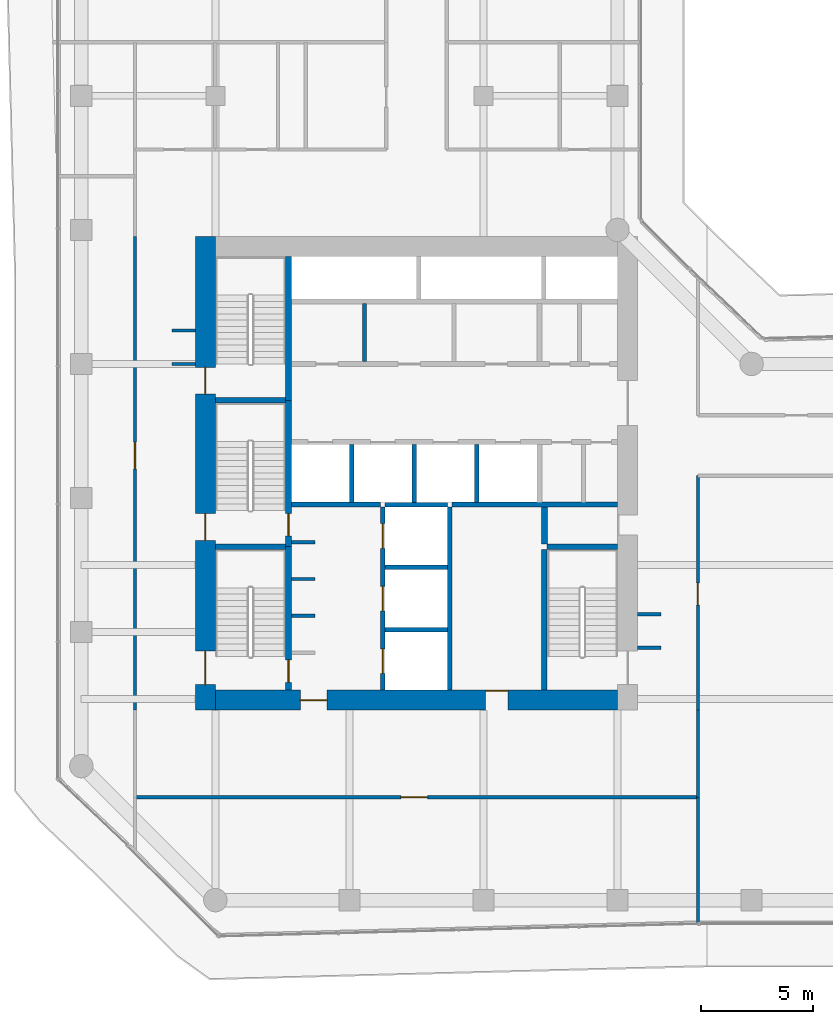
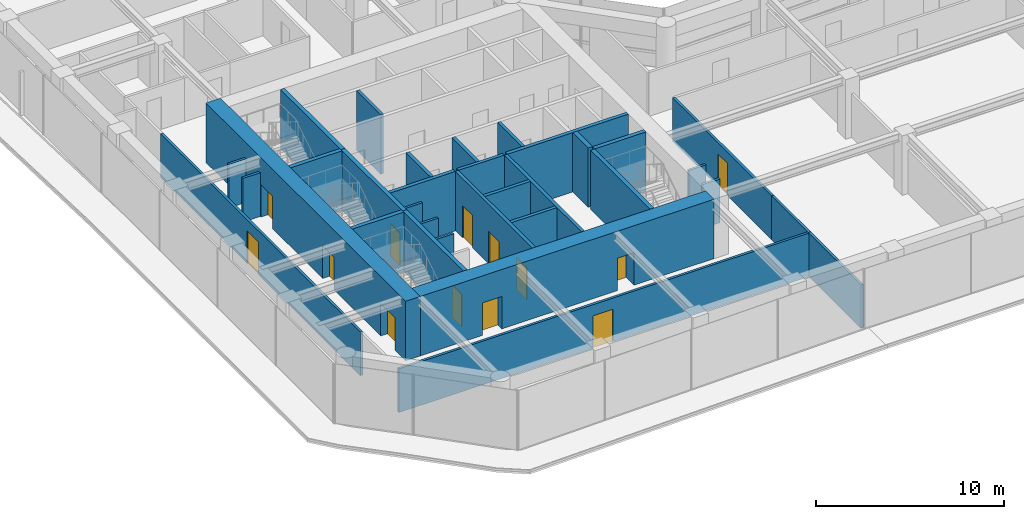
# One storey, part 23 of 29: 33 walls, 13 doors, 13 openings.
"""IFC4 building model written with IfcOpenShell, lengths in metres."""

from ifc_helpers import new_model, si_unit, direction, frame, frame_2d, origin, place, context, subcontext, project, spatial, rectangle, extrude, material, layer, layer_set, type_object, element, fill, save


model = new_model("IFC4")

# Units and contexts
model_context = context("Model", 3, precision=1e-05, world=origin(), true_north=direction((0.0, 1.0)))
body_context = subcontext(model_context, "Body", "Model", "MODEL_VIEW")
ifc_project = project(units=[si_unit("LENGTHUNIT", "METRE"), si_unit("AREAUNIT", "SQUARE_METRE"), si_unit("VOLUMEUNIT", "CUBIC_METRE"), si_unit("PLANEANGLEUNIT", "RADIAN"), si_unit("MASSUNIT", "GRAM", prefix="KILO")], contexts=[model_context])

# Site, building, storey
site_placement = place(None, origin())
site = spatial("IfcSite", under=ifc_project, at=site_placement, CompositionType="ELEMENT")
building_placement = place(site_placement, origin())
building = spatial("IfcBuilding", under=site, at=building_placement, Name="Welwitschia Terrace Campus", CompositionType="ELEMENT")
storey_placement = place(building_placement, frame((0.0, 0.0, 58.39990234375)))
storey = spatial("IfcBuildingStorey", under=building, at=storey_placement, Name="L13", CompositionType="ELEMENT", Elevation=58.39990234375)

# Walls
ifc_material_1 = material(Name="Concrete C32/40", Category="concrete")
ifc_layer_1 = layer(ifc_material_1, 0.175048828125)
ifc_layer_set_1 = layer_set([ifc_layer_1], Name="Concrete C32/40")
wall_type_1 = type_object("IfcWallType", Name="Core partition 175 Concrete C32/40", PredefinedType="PARTITIONING", material=ifc_layer_set_1)
wall_1_placement = place(storey_placement, frame((12.675048828125, 20.10009765625, 0.0), z_axis=(0.0, 0.0, 1.0), x_axis=(0.0, 1.0, 0.0)))
element("IfcWall", 1, at=wall_1_placement, inside=storey, type_object=wall_type_1, Name="Core partition", PredefinedType="PARTITIONING", context=body_context, shape_type="SweptSolid", body=[
    extrude(rectangle(XDim=2.599853515625, YDim=0.175048828125, at=frame_2d((1.2998046875, 0.0))), origin(), (0.0, 0.0, 1.0), 3.85009765625),
])
ifc_material_2 = material(Name="Concrete C32/40", Category="concrete")
ifc_layer_2 = layer(ifc_material_2, 0.22509765625)
ifc_layer_set_2 = layer_set([ifc_layer_2], Name="Concrete C32/40")
wall_type_2 = type_object("IfcWallType", Name="Core partition 225 Concrete C32/40", PredefinedType="PARTITIONING", material=ifc_layer_set_2)
wall_2_placement = place(storey_placement, frame((9.39990234375, 13.699951171875, 0.0), z_axis=(0.0, 0.0, 1.0), x_axis=(1.0, 0.0, 0.0)))
element("IfcWall", 2, at=wall_2_placement, inside=storey, type_object=wall_type_2, Name="Shaft wall", PredefinedType="PARTITIONING", context=body_context, shape_type="SweptSolid", body=[
    extrude(rectangle(XDim=4.0, YDim=0.22509765625, at=frame_2d((2.0, 0.0))), origin(), (0.0, 0.0, 1.0), 3.85009765625),
])
wall_3_placement = place(storey_placement, frame((16.60009765625, 13.699951171875, 0.0), z_axis=(0.0, 0.0, 1.0), x_axis=(1.0, 0.0, 0.0)))
element("IfcWall", 3, at=wall_3_placement, inside=storey, type_object=wall_type_2, Name="Shaft wall", PredefinedType="PARTITIONING", context=body_context, shape_type="SweptSolid", body=[
    extrude(rectangle(XDim=7.39990234375, YDim=0.22509765625, at=frame_2d((3.699951171875, 0.0))), origin(), (0.0, 0.0, 1.0), 3.85009765625),
])
ifc_material_3 = material(Name="Concrete C32/40", Category="concrete")
ifc_layer_3 = layer(ifc_material_3, 0.27490234375)
ifc_layer_set_3 = layer_set([ifc_layer_3], Name="Concrete C32/40")
wall_type_3 = type_object("IfcWallType", Name="Core partition 275 Concrete C32/40", PredefinedType="PARTITIONING", material=ifc_layer_set_3)
wall_4_placement = place(storey_placement, frame((20.72509765625, 11.949951171875, 0.0), z_axis=(0.0, 0.0, 1.0), x_axis=(0.0, 1.0, 0.0)))
element("IfcWall", 4, at=wall_4_placement, inside=storey, type_object=wall_type_3, Name="Core partition", PredefinedType="PARTITIONING", context=body_context, shape_type="SweptSolid", body=[
    extrude(rectangle(XDim=1.650146484375, YDim=0.27490234375, at=frame_2d((0.8251953125, 0.0))), origin(), (0.0, 0.0, 1.0), 3.85009765625),
])
ifc_material_4 = material(Name="Concrete C50/60", Category="concrete")
ifc_layer_4 = layer(ifc_material_4, 0.14990234375)
ifc_layer_set_4 = layer_set([ifc_layer_4], Name="Concrete C50/60")
wall_type_4 = type_object("IfcWallType", Name="Core wall 150 Concrete C50/60", PredefinedType="SHEAR", material=ifc_layer_set_4)
for number, where, z_axis, x_axis, name in (
    (5, (9.39990234375, 8.72509765625, 0.0), (0.0, 0.0, 1.0), (1.0, 0.0, 0.0), "Core wall"),
    (6, (9.39990234375, 10.375, 0.0), (0.0, 0.0, 1.0), (1.0, 0.0, 0.0), "Core wall"),
    (7, (9.39990234375, 12.02490234375, 0.0), (0.0, 0.0, 1.0), (1.0, 0.0, 0.0), "Core wall"),
):
    element("IfcWall", number, at=place(storey_placement, frame(where, z_axis=z_axis, x_axis=x_axis)), inside=storey, type_object=wall_type_4, Name=name, PredefinedType="SHEAR", context=body_context, shape_type="SweptSolid", body=[
        extrude(rectangle(XDim=1.050048828125, YDim=0.14990234375, at=frame_2d((0.52490234375, 0.0))), origin(), (0.0, 0.0, 1.0), 3.85009765625),
    ])
ifc_material_5 = material(Name="Concrete C50/60", Category="concrete")
ifc_layer_5 = layer(ifc_material_5, 0.199951171875)
ifc_layer_set_5 = layer_set([ifc_layer_5], Name="Concrete C50/60")
wall_type_5 = type_object("IfcWallType", Name="Core wall 200 Concrete C50/60", PredefinedType="SHEAR", material=ifc_layer_set_5)
for number, where, z_axis, x_axis, name in (
    (8, (13.60009765625, 8.10009765625, 0.0), (0.0, 0.0, 1.0), (1.0, 0.0, 0.0), "Core wall"),
    (9, (13.60009765625, 10.89990234375, 0.0), (0.0, 0.0, 1.0), (1.0, 0.0, 0.0), "Core wall"),
    (10, (13.60009765625, 13.699951171875, 0.0), (0.0, 0.0, 1.0), (1.0, 0.0, 0.0), "Core wall"),
):
    element("IfcWall", number, at=place(storey_placement, frame(where, z_axis=z_axis, x_axis=x_axis)), inside=storey, type_object=wall_type_5, Name=name, PredefinedType="SHEAR", context=body_context, shape_type="SweptSolid", body=[
        extrude(rectangle(XDim=2.7998046875, YDim=0.199951171875, at=frame_2d((1.39990234375, 0.0))), origin(), (0.0, 0.0, 1.0), 3.85009765625),
    ])

# Wall, openings, doors
wall_5_placement = place(storey_placement, frame((13.5, 5.39990234375, 0.0), z_axis=(0.0, 0.0, 1.0), x_axis=(0.0, 1.0, 0.0)))
wall_5 = element("IfcWall", 11, at=wall_5_placement, inside=storey, type_object=wall_type_5, Name="Core wall", PredefinedType="SHEAR", context=body_context, shape_type="SweptSolid", body=[
    extrude(rectangle(XDim=8.2001953125, YDim=0.199951171875, at=frame_2d((4.10009765625, 0.0))), origin(), (0.0, 0.0, 1.0), 3.85009765625),
])
opening_1_placement = place(wall_5_placement, frame((0.75, 0.0, 0.0)))
opening_1 = element("IfcOpeningElement", 12, at=opening_1_placement, cuts=wall_5, Name="Opening LD", PredefinedType="OPENING", context=body_context, shape_type="SweptSolid", body=[
    extrude(rectangle(XDim=1.10009765625, YDim=2.10009765625, at=frame_2d((0.550048828125, 1.050048828125))), frame((0.0, 0.10986328125, 0.0), z_axis=(0.0, -1.0, 0.0), x_axis=(1.0, 0.0, 0.0)), (0.0, 0.0, 1.0), 0.219970703125),
])
opening_2_placement = place(wall_5_placement, frame((3.550048828125, 0.0, 0.0)))
opening_2 = element("IfcOpeningElement", 13, at=opening_2_placement, cuts=wall_5, Name="Opening LD", PredefinedType="OPENING", context=body_context, shape_type="SweptSolid", body=[
    extrude(rectangle(XDim=1.10009765625, YDim=2.10009765625, at=frame_2d((0.550048828125, 1.050048828125))), frame((0.0, 0.10986328125, 0.0), z_axis=(0.0, -1.0, 0.0), x_axis=(1.0, 0.0, 0.0)), (0.0, 0.0, 1.0), 0.219970703125),
])
opening_3_placement = place(wall_5_placement, frame((6.35009765625, 0.0, 0.0)))
opening_3 = element("IfcOpeningElement", 14, at=opening_3_placement, cuts=wall_5, Name="Opening LD", PredefinedType="OPENING", context=body_context, shape_type="SweptSolid", body=[
    extrude(rectangle(XDim=1.10009765625, YDim=2.10009765625, at=frame_2d((0.550048828125, 1.050048828125))), frame((0.0, 0.10986328125, 0.0), z_axis=(0.0, -1.0, 0.0), x_axis=(1.0, 0.0, 0.0)), (0.0, 0.0, 1.0), 0.219970703125),
])
ifc_material_6 = material(Name="Stainless steel 304", Category="steel")
door_type_1 = type_object("IfcDoorType", Name="Lift landing door", OperationType="DOUBLE_DOOR_SLIDING", PredefinedType="DOOR", material=ifc_material_6)
door_1_placement = place(opening_1_placement, origin())
door_1 = element("IfcDoor", 15, at=door_1_placement, inside=storey, type_object=door_type_1, Name="Landing door FF1", OperationType="DOUBLE_DOOR_SLIDING", OverallHeight=2.10009765625, OverallWidth=1.10009765625, PredefinedType="DOOR", context=body_context, shape_type="SweptSolid", body=[
    extrude(rectangle(XDim=1.10009765625, YDim=2.10009765625, at=frame_2d((0.550048828125, 1.050048828125))), frame((0.0, 0.02490234375, 0.0), z_axis=(0.0, -1.0, 0.0), x_axis=(1.0, 0.0, 0.0)), (0.0, 0.0, 1.0), 0.050048828125),
])
fill(opening_1, door_1)
door_2_placement = place(opening_2_placement, origin())
door_2 = element("IfcDoor", 16, at=door_2_placement, inside=storey, type_object=door_type_1, Name="Landing door FF2", OperationType="DOUBLE_DOOR_SLIDING", OverallHeight=2.10009765625, OverallWidth=1.10009765625, PredefinedType="DOOR", context=body_context, shape_type="SweptSolid", body=[
    extrude(rectangle(XDim=1.10009765625, YDim=2.10009765625, at=frame_2d((0.550048828125, 1.050048828125))), frame((0.0, 0.02490234375, 0.0), z_axis=(0.0, -1.0, 0.0), x_axis=(1.0, 0.0, 0.0)), (0.0, 0.0, 1.0), 0.050048828125),
])
fill(opening_2, door_2)
door_3_placement = place(opening_3_placement, origin())
door_3 = element("IfcDoor", 17, at=door_3_placement, inside=storey, type_object=door_type_1, Name="Landing door SV1", OperationType="DOUBLE_DOOR_SLIDING", OverallHeight=2.10009765625, OverallWidth=1.10009765625, PredefinedType="DOOR", context=body_context, shape_type="SweptSolid", body=[
    extrude(rectangle(XDim=1.10009765625, YDim=2.10009765625, at=frame_2d((0.550048828125, 1.050048828125))), frame((0.0, 0.02490234375, 0.0), z_axis=(0.0, -1.0, 0.0), x_axis=(1.0, 0.0, 0.0)), (0.0, 0.0, 1.0), 0.050048828125),
])
fill(opening_3, door_3)

# Walls
wall_6_placement = place(storey_placement, frame((16.5, 5.39990234375, 0.0), z_axis=(0.0, 0.0, 1.0), x_axis=(0.0, 1.0, 0.0)))
element("IfcWall", 18, at=wall_6_placement, inside=storey, type_object=wall_type_5, Name="Core wall", PredefinedType="SHEAR", context=body_context, shape_type="SweptSolid", body=[
    extrude(rectangle(XDim=8.2001953125, YDim=0.199951171875, at=frame_2d((4.10009765625, 0.0))), origin(), (0.0, 0.0, 1.0), 3.85009765625),
])
ifc_material_7 = material(Name="Concrete C50/60", Category="concrete")
ifc_layer_6 = layer(ifc_material_7, 0.25)
ifc_layer_set_6 = layer_set([ifc_layer_6], Name="Concrete C50/60")
wall_type_6 = type_object("IfcWallType", Name="Core wall 250 Concrete C50/60", PredefinedType="SHEAR", material=ifc_layer_set_6)
for number, where, z_axis, x_axis, name in (
    (19, (6.0, 11.824951171875, 0.0), (0.0, 0.0, 1.0), (1.0, 0.0, 0.0), "Core wall"),
    (20, (20.85009765625, 11.824951171875, 0.0), (0.0, 0.0, 1.0), (1.0, 0.0, 0.0), "Core wall"),
    (21, (6.0, 18.375, 0.0), (0.0, 0.0, 1.0), (1.0, 0.0, 0.0), "Core wall"),
):
    element("IfcWall", number, at=place(storey_placement, frame(where, z_axis=z_axis, x_axis=x_axis)), inside=storey, type_object=wall_type_6, Name=name, PredefinedType="SHEAR", context=body_context, shape_type="SweptSolid", body=[
        extrude(rectangle(XDim=3.14990234375, YDim=0.25, at=frame_2d((1.574951171875, 0.0))), origin(), (0.0, 0.0, 1.0), 3.85009765625),
    ])

# Wall, opening, door
wall_7_placement = place(storey_placement, frame((9.27490234375, 11.824951171875, 0.0), z_axis=(0.0, 0.0, 1.0), x_axis=(0.0, -1.0, 0.0)))
wall_7 = element("IfcWall", 22, at=wall_7_placement, inside=storey, type_object=wall_type_6, Name="Core wall", PredefinedType="SHEAR", context=body_context, shape_type="SweptSolid", body=[
    extrude(rectangle(XDim=6.425048828125, YDim=0.25, at=frame_2d((3.21240234375, 0.0))), origin(), (0.0, 0.0, 1.0), 3.85009765625),
])
opening_4_placement = place(wall_7_placement, frame((5.074951171875, 0.0, 0.0)))
opening_4 = element("IfcOpeningElement", 23, at=opening_4_placement, cuts=wall_7, Name="Opening DS10", PredefinedType="OPENING", context=body_context, shape_type="SweptSolid", body=[
    extrude(rectangle(XDim=1.0, YDim=2.10009765625, at=frame_2d((0.5, 1.050048828125))), frame((0.0, 0.135009765625, 0.0), z_axis=(0.0, -1.0, 0.0), x_axis=(1.0, 0.0, 0.0)), (0.0, 0.0, 1.0), 0.27001953125),
])
ifc_material_8 = material(Name="Steel S275", Category="steel")
door_type_2 = type_object("IfcDoorType", Name="Core door DS10", OperationType="SINGLE_SWING_LEFT", PredefinedType="DOOR", material=ifc_material_8)
door_4_placement = place(opening_4_placement, origin())
door_4 = element("IfcDoor", 24, at=door_4_placement, inside=storey, type_object=door_type_2, Name="Door S1-FL", OperationType="SINGLE_SWING_RIGHT", OverallHeight=2.10009765625, OverallWidth=1.0, PredefinedType="DOOR", context=body_context, shape_type="SweptSolid", body=[
    extrude(rectangle(XDim=1.0, YDim=2.10009765625, at=frame_2d((0.5, 1.050048828125))), frame((0.0, 0.02490234375, 0.0), z_axis=(0.0, -1.0, 0.0), x_axis=(1.0, 0.0, 0.0)), (0.0, 0.0, 1.0), 0.050048828125),
])
fill(opening_4, door_4)

wall_8_placement = place(storey_placement, frame((9.27490234375, 18.375, 0.0), z_axis=(0.0, 0.0, 1.0), x_axis=(0.0, -1.0, 0.0)))
wall_8 = element("IfcWall", 25, at=wall_8_placement, inside=storey, type_object=wall_type_6, Name="Core wall", PredefinedType="SHEAR", context=body_context, shape_type="SweptSolid", body=[
    extrude(rectangle(XDim=6.550048828125, YDim=0.25, at=frame_2d((3.27490234375, 0.0))), origin(), (0.0, 0.0, 1.0), 3.85009765625),
])
opening_5_placement = place(wall_8_placement, frame((5.074951171875, 0.0, 0.0)))
opening_5 = element("IfcOpeningElement", 26, at=opening_5_placement, cuts=wall_8, Name="Opening DS10", PredefinedType="OPENING", context=body_context, shape_type="SweptSolid", body=[
    extrude(rectangle(XDim=1.0, YDim=2.10009765625, at=frame_2d((0.5, 1.050048828125))), frame((0.0, 0.135009765625, 0.0), z_axis=(0.0, -1.0, 0.0), x_axis=(1.0, 0.0, 0.0)), (0.0, 0.0, 1.0), 0.27001953125),
])
door_5_placement = place(opening_5_placement, origin())
door_5 = element("IfcDoor", 27, at=door_5_placement, inside=storey, type_object=door_type_2, Name="Door S3-FL", OperationType="SINGLE_SWING_RIGHT", OverallHeight=2.10009765625, OverallWidth=1.0, PredefinedType="DOOR", context=body_context, shape_type="SweptSolid", body=[
    extrude(rectangle(XDim=1.0, YDim=2.10009765625, at=frame_2d((0.5, 1.050048828125))), frame((0.0, 0.02490234375, 0.0), z_axis=(0.0, -1.0, 0.0), x_axis=(1.0, 0.0, 0.0)), (0.0, 0.0, 1.0), 0.050048828125),
])
fill(opening_5, door_5)

# Walls
wall_9_placement = place(storey_placement, frame((9.27490234375, 18.375, 0.0), z_axis=(0.0, 0.0, 1.0), x_axis=(0.0, 1.0, 0.0)))
element("IfcWall", 28, at=wall_9_placement, inside=storey, type_object=wall_type_6, Name="Core wall", PredefinedType="SHEAR", context=body_context, shape_type="SweptSolid", body=[
    extrude(rectangle(XDim=6.425048828125, YDim=0.25, at=frame_2d((3.21240234375, 0.0))), origin(), (0.0, 0.0, 1.0), 3.85009765625),
])
wall_10_placement = place(storey_placement, frame((20.72509765625, 5.39990234375, 0.0), z_axis=(0.0, 0.0, 1.0), x_axis=(0.0, 1.0, 0.0)))
element("IfcWall", 29, at=wall_10_placement, inside=storey, type_object=wall_type_6, Name="Core wall", PredefinedType="SHEAR", context=body_context, shape_type="SweptSolid", body=[
    extrude(rectangle(XDim=6.300048828125, YDim=0.25, at=frame_2d((3.14990234375, 0.0))), origin(), (0.0, 0.0, 1.0), 3.85009765625),
])

# Wall, openings, doors
ifc_material_9 = material(Name="Concrete C70/85", Category="concrete")
ifc_layer_7 = layer(ifc_material_9, 0.89990234375)
ifc_layer_set_7 = layer_set([ifc_layer_7], Name="Concrete C70/85")
wall_type_7 = type_object("IfcWallType", Name="Core wall 900 Concrete C70/85", PredefinedType="SHEAR", material=ifc_layer_set_7)
wall_11_placement = place(storey_placement, frame((5.550048828125, 4.5, 0.0), z_axis=(0.0, 0.0, 1.0), x_axis=(0.0, 1.0, 0.0)))
wall_11 = element("IfcWall", 30, at=wall_11_placement, inside=storey, type_object=wall_type_7, Name="Core outer wall", PredefinedType="SHEAR", context=body_context, shape_type="SweptSolid", body=[
    extrude(rectangle(XDim=21.199951171875, YDim=0.89990234375, at=frame_2d((10.60009765625, 0.0))), origin(), (0.0, 0.0, 1.0), 3.85009765625),
])
opening_6_placement = place(wall_11_placement, frame((1.14990234375, 0.0, 0.0)))
opening_6 = element("IfcOpeningElement", 31, at=opening_6_placement, cuts=wall_11, Name="Opening DS15", PredefinedType="OPENING", context=body_context, shape_type="SweptSolid", body=[
    extrude(rectangle(XDim=1.5, YDim=2.10009765625, at=frame_2d((0.75, 1.050048828125))), frame((0.0, 0.4599609375, 0.0), z_axis=(0.0, -1.0, 0.0), x_axis=(1.0, 0.0, 0.0)), (0.0, 0.0, 1.0), 0.919921875),
])
opening_7_placement = place(wall_11_placement, frame((7.60009765625, 0.0, 0.0)))
opening_7 = element("IfcOpeningElement", 32, at=opening_7_placement, cuts=wall_11, Name="Opening DS12", PredefinedType="OPENING", context=body_context, shape_type="SweptSolid", body=[
    extrude(rectangle(XDim=1.199951171875, YDim=2.10009765625, at=frame_2d((0.60009765625, 1.050048828125))), frame((0.0, 0.4599609375, 0.0), z_axis=(0.0, -1.0, 0.0), x_axis=(1.0, 0.0, 0.0)), (0.0, 0.0, 1.0), 0.919921875),
])
opening_8_placement = place(wall_11_placement, frame((14.14990234375, 0.0, 0.0)))
opening_8 = element("IfcOpeningElement", 33, at=opening_8_placement, cuts=wall_11, Name="Opening DS12", PredefinedType="OPENING", context=body_context, shape_type="SweptSolid", body=[
    extrude(rectangle(XDim=1.199951171875, YDim=2.10009765625, at=frame_2d((0.60009765625, 1.050048828125))), frame((0.0, 0.4599609375, 0.0), z_axis=(0.0, -1.0, 0.0), x_axis=(1.0, 0.0, 0.0)), (0.0, 0.0, 1.0), 0.919921875),
])
ifc_material_10 = material(Name="Steel S275", Category="steel")
door_type_3 = type_object("IfcDoorType", Name="Core door DS12", OperationType="SINGLE_SWING_LEFT", PredefinedType="DOOR", material=ifc_material_10)
door_6_placement = place(opening_7_placement, origin())
door_6 = element("IfcDoor", 34, at=door_6_placement, inside=storey, type_object=door_type_3, Name="Door S3-out", OperationType="SINGLE_SWING_LEFT", OverallHeight=2.10009765625, OverallWidth=1.199951171875, PredefinedType="DOOR", context=body_context, shape_type="SweptSolid", body=[
    extrude(rectangle(XDim=1.199951171875, YDim=2.10009765625, at=frame_2d((0.60009765625, 1.050048828125))), frame((0.0, 0.02490234375, 0.0), z_axis=(0.0, -1.0, 0.0), x_axis=(1.0, 0.0, 0.0)), (0.0, 0.0, 1.0), 0.050048828125),
])
fill(opening_7, door_6)
door_7_placement = place(opening_8_placement, origin())
door_7 = element("IfcDoor", 35, at=door_7_placement, inside=storey, type_object=door_type_3, Name="Door S4-out", OperationType="SINGLE_SWING_RIGHT", OverallHeight=2.10009765625, OverallWidth=1.199951171875, PredefinedType="DOOR", context=body_context, shape_type="SweptSolid", body=[
    extrude(rectangle(XDim=1.199951171875, YDim=2.10009765625, at=frame_2d((0.60009765625, 1.050048828125))), frame((0.0, 0.02490234375, 0.0), z_axis=(0.0, -1.0, 0.0), x_axis=(1.0, 0.0, 0.0)), (0.0, 0.0, 1.0), 0.050048828125),
])
fill(opening_8, door_7)
ifc_material_11 = material(Name="Steel S275", Category="steel")
door_type_4 = type_object("IfcDoorType", Name="Core door DS15", OperationType="DOUBLE_DOOR_SINGLE_SWING", PredefinedType="DOOR", material=ifc_material_11)
door_8_placement = place(opening_6_placement, origin())
door_8 = element("IfcDoor", 36, at=door_8_placement, inside=storey, type_object=door_type_4, Name="Door S1-out", OperationType="DOUBLE_DOOR_SINGLE_SWING", OverallHeight=2.10009765625, OverallWidth=1.5, PredefinedType="DOOR", context=body_context, shape_type="SweptSolid", body=[
    extrude(rectangle(XDim=1.5, YDim=2.10009765625, at=frame_2d((0.75, 1.050048828125))), frame((0.0, 0.02490234375, 0.0), z_axis=(0.0, -1.0, 0.0), x_axis=(1.0, 0.0, 0.0)), (0.0, 0.0, 1.0), 0.050048828125),
])
fill(opening_6, door_8)

wall_12_placement = place(storey_placement, frame((24.0, 4.949951171875, 0.0), z_axis=(0.0, 0.0, 1.0), x_axis=(-1.0, 0.0, 0.0)))
wall_12 = element("IfcWall", 37, at=wall_12_placement, inside=storey, type_object=wall_type_7, Name="Core outer wall", PredefinedType="SHEAR", context=body_context, shape_type="SweptSolid", body=[
    extrude(rectangle(XDim=18.0, YDim=0.89990234375, at=frame_2d((9.0, 0.0))), origin(), (0.0, 0.0, 1.0), 3.85009765625),
])
opening_9_placement = place(wall_12_placement, frame((13.0, 0.0, 0.0)))
opening_9 = element("IfcOpeningElement", 38, at=opening_9_placement, cuts=wall_12, Name="Opening DF12", PredefinedType="OPENING", context=body_context, shape_type="SweptSolid", body=[
    extrude(rectangle(XDim=1.199951171875, YDim=2.10009765625, at=frame_2d((0.60009765625, 1.050048828125))), frame((0.0, 0.4599609375, 0.0), z_axis=(0.0, -1.0, 0.0), x_axis=(1.0, 0.0, 0.0)), (0.0, 0.0, 1.0), 0.919921875),
])
opening_10_placement = place(wall_12_placement, frame((4.89990234375, 0.0, 0.0)))
opening_10 = element("IfcOpeningElement", 39, at=opening_10_placement, cuts=wall_12, Name="Opening DR10", PredefinedType="OPENING", context=body_context, shape_type="SweptSolid", body=[
    extrude(rectangle(XDim=1.0, YDim=2.10009765625, at=frame_2d((0.5, 1.050048828125))), frame((0.0, 0.4599609375, 0.0), z_axis=(0.0, -1.0, 0.0), x_axis=(1.0, 0.0, 0.0)), (0.0, 0.0, 1.0), 0.919921875),
])
ifc_material_12 = material(Name="Steel S275", Category="steel")
door_type_5 = type_object("IfcDoorType", Name="Core door DF12", OperationType="SINGLE_SWING_LEFT", PredefinedType="DOOR", material=ifc_material_12)
door_9_placement = place(opening_9_placement, origin())
door_9 = element("IfcDoor", 40, at=door_9_placement, inside=storey, type_object=door_type_5, Name="Door FL-out", OperationType="SINGLE_SWING_RIGHT", OverallHeight=2.10009765625, OverallWidth=1.199951171875, PredefinedType="DOOR", context=body_context, shape_type="SweptSolid", body=[
    extrude(rectangle(XDim=1.199951171875, YDim=2.10009765625, at=frame_2d((0.60009765625, 1.050048828125))), frame((0.0, 0.02490234375, 0.0), z_axis=(0.0, -1.0, 0.0), x_axis=(1.0, 0.0, 0.0)), (0.0, 0.0, 1.0), 0.050048828125),
])
fill(opening_9, door_9)
ifc_material_13 = material(Name="Steel S275", Category="steel")
door_type_6 = type_object("IfcDoorType", Name="Core door DR10", OperationType="SINGLE_SWING_LEFT", PredefinedType="DOOR", material=ifc_material_13)
door_10_placement = place(opening_10_placement, origin())
door_10 = element("IfcDoor", 41, at=door_10_placement, inside=storey, type_object=door_type_6, Name="Door F1-out", OperationType="SINGLE_SWING_LEFT", OverallHeight=2.10009765625, OverallWidth=1.0, PredefinedType="DOOR", context=body_context, shape_type="SweptSolid", body=[
    extrude(rectangle(XDim=1.0, YDim=2.10009765625, at=frame_2d((0.5, 1.050048828125))), frame((0.0, -0.39013671875, 0.0), z_axis=(0.0, -1.0, 0.0), x_axis=(1.0, 0.0, 0.0)), (0.0, 0.0, 1.0), 0.050048828125),
])
fill(opening_10, door_10)

# Wall, opening, door
ifc_material_14 = material(Name="Gypsum board on steel studs", Category="steel")
ifc_layer_8 = layer(ifc_material_14, 0.14990234375)
ifc_layer_set_8 = layer_set([ifc_layer_8], Name="Gypsum board on steel studs")
wall_type_8 = type_object("IfcWallType", Name="Corridor partition 150 EI 30", PredefinedType="PARTITIONING", material=ifc_layer_set_8)
wall_13_placement = place(storey_placement, frame((2.39990234375, 4.5, 0.0), z_axis=(0.0, 0.0, 1.0), x_axis=(0.0, 1.0, 0.0)))
wall_13 = element("IfcWall", 42, at=wall_13_placement, inside=storey, type_object=wall_type_8, Name="Partition", PredefinedType="PARTITIONING", context=body_context, shape_type="SweptSolid", body=[
    extrude(rectangle(XDim=21.199951171875, YDim=0.14990234375, at=frame_2d((10.60009765625, 0.0))), origin(), (0.0, 0.0, 1.0), 2.830078125),
])
opening_11_placement = place(wall_13_placement, frame((10.800048828125, 0.0, 0.0)))
opening_11 = element("IfcOpeningElement", 43, at=opening_11_placement, cuts=wall_13, Name="Opening DI12", PredefinedType="OPENING", context=body_context, shape_type="SweptSolid", body=[
    extrude(rectangle(XDim=1.199951171875, YDim=2.10009765625, at=frame_2d((0.60009765625, 1.050048828125))), frame((0.0, 0.0849609375, 0.0), z_axis=(0.0, -1.0, 0.0), x_axis=(1.0, 0.0, 0.0)), (0.0, 0.0, 1.0), 0.169921875),
])
ifc_material_15 = material(Name="Timber veneered door", Category="wood")
door_type_7 = type_object("IfcDoorType", Name="Interior door DI12", OperationType="NOTDEFINED", PredefinedType="DOOR", material=ifc_material_15)
door_11_placement = place(opening_11_placement, origin())
door_11 = element("IfcDoor", 44, at=door_11_placement, inside=storey, type_object=door_type_7, Name="Door L13 290", OperationType="SINGLE_SWING_LEFT", OverallHeight=2.10009765625, OverallWidth=1.199951171875, PredefinedType="DOOR", context=body_context, shape_type="SweptSolid", body=[
    extrude(rectangle(XDim=1.199951171875, YDim=2.10009765625, at=frame_2d((0.60009765625, 1.050048828125))), frame((0.0, 0.02490234375, 0.0), z_axis=(0.0, -1.0, 0.0), x_axis=(1.0, 0.0, 0.0)), (0.0, 0.0, 1.0), 0.050048828125),
])
fill(opening_11, door_11)

# Walls
for number, where, z_axis, x_axis, name in (
    (45, (4.050048828125, 20.0, 0.0), (0.0, 0.0, 1.0), (1.0, 0.0, 0.0), "Partition"),
    (46, (4.050048828125, 21.5, 0.0), (0.0, 0.0, 1.0), (1.0, 0.0, 0.0), "Partition"),
    (47, (24.89990234375, 7.300048828125, 0.0), (0.0, 0.0, 1.0), (1.0, 0.0, 0.0), "Partition"),
    (48, (24.89990234375, 8.800048828125, 0.0), (0.0, 0.0, 1.0), (1.0, 0.0, 0.0), "Partition"),
):
    element("IfcWall", number, at=place(storey_placement, frame(where, z_axis=z_axis, x_axis=x_axis)), inside=storey, type_object=wall_type_8, Name=name, PredefinedType="PARTITIONING", context=body_context, shape_type="SweptSolid", body=[
        extrude(rectangle(XDim=1.050048828125, YDim=0.14990234375, at=frame_2d((0.52490234375, 0.0))), origin(), (0.0, 0.0, 1.0), 2.830078125),
    ])
wall_14_placement = place(storey_placement, frame((27.60009765625, -4.992919921875, 0.0), z_axis=(0.0, 0.0, 1.0), x_axis=(0.0, 1.0, 0.0)))
element("IfcWall", 49, at=wall_14_placement, inside=storey, type_object=wall_type_8, Name="Partition", PredefinedType="PARTITIONING", context=body_context, shape_type="SweptSolid", body=[
    extrude(rectangle(XDim=5.593017578125, YDim=0.14990234375, at=frame_2d((2.79638671875, 0.0))), origin(), (0.0, 0.0, 1.0), 2.830078125),
])

# Wall, opening, door
wall_15_placement = place(storey_placement, frame((27.60009765625, 0.60009765625, 0.0), z_axis=(0.0, 0.0, 1.0), x_axis=(-1.0, 0.0, 0.0)))
wall_15 = element("IfcWall", 50, at=wall_15_placement, inside=storey, type_object=wall_type_8, Name="Partition", PredefinedType="PARTITIONING", context=body_context, shape_type="SweptSolid", body=[
    extrude(rectangle(XDim=25.2001953125, YDim=0.14990234375, at=frame_2d((12.60009765625, 0.0))), origin(), (0.0, 0.0, 1.0), 2.830078125),
])
opening_12_placement = place(wall_15_placement, frame((12.10009765625, 0.0, 0.0)))
opening_12 = element("IfcOpeningElement", 51, at=opening_12_placement, cuts=wall_15, Name="Opening DI12", PredefinedType="OPENING", context=body_context, shape_type="SweptSolid", body=[
    extrude(rectangle(XDim=1.199951171875, YDim=2.10009765625, at=frame_2d((0.60009765625, 1.050048828125))), frame((0.0, 0.0849609375, 0.0), z_axis=(0.0, -1.0, 0.0), x_axis=(1.0, 0.0, 0.0)), (0.0, 0.0, 1.0), 0.169921875),
])
door_12_placement = place(opening_12_placement, origin())
door_12 = element("IfcDoor", 52, at=door_12_placement, inside=storey, type_object=door_type_7, Name="Door L13 302", OperationType="SINGLE_SWING_LEFT", OverallHeight=2.10009765625, OverallWidth=1.199951171875, PredefinedType="DOOR", context=body_context, shape_type="SweptSolid", body=[
    extrude(rectangle(XDim=1.199951171875, YDim=2.10009765625, at=frame_2d((0.60009765625, 1.050048828125))), frame((0.0, 0.02490234375, 0.0), z_axis=(0.0, -1.0, 0.0), x_axis=(1.0, 0.0, 0.0)), (0.0, 0.0, 1.0), 0.050048828125),
])
fill(opening_12, door_12)

# Wall
wall_16_placement = place(storey_placement, frame((27.60009765625, 0.60009765625, 0.0), z_axis=(0.0, 0.0, 1.0), x_axis=(0.0, 1.0, 0.0)))
element("IfcWall", 53, at=wall_16_placement, inside=storey, type_object=wall_type_8, Name="Partition", PredefinedType="PARTITIONING", context=body_context, shape_type="SweptSolid", body=[
    extrude(rectangle(XDim=3.89990234375, YDim=0.14990234375, at=frame_2d((1.949951171875, 0.0))), origin(), (0.0, 0.0, 1.0), 2.830078125),
])

# Wall, opening, door
wall_17_placement = place(storey_placement, frame((27.60009765625, 15.0, 0.0), z_axis=(0.0, 0.0, 1.0), x_axis=(0.0, -1.0, 0.0)))
wall_17 = element("IfcWall", 54, at=wall_17_placement, inside=storey, type_object=wall_type_8, Name="Partition", PredefinedType="PARTITIONING", context=body_context, shape_type="SweptSolid", body=[
    extrude(rectangle(XDim=10.5, YDim=0.14990234375, at=frame_2d((5.25, 0.0))), origin(), (0.0, 0.0, 1.0), 2.830078125),
])
opening_13_placement = place(wall_17_placement, frame((4.800048828125, 0.0, 0.0)))
opening_13 = element("IfcOpeningElement", 55, at=opening_13_placement, cuts=wall_17, Name="Opening DI10", PredefinedType="OPENING", context=body_context, shape_type="SweptSolid", body=[
    extrude(rectangle(XDim=1.0, YDim=2.10009765625, at=frame_2d((0.5, 1.050048828125))), frame((0.0, 0.0849609375, 0.0), z_axis=(0.0, -1.0, 0.0), x_axis=(1.0, 0.0, 0.0)), (0.0, 0.0, 1.0), 0.169921875),
])
ifc_material_16 = material(Name="Timber veneered door", Category="wood")
door_type_8 = type_object("IfcDoorType", Name="Interior door DI10", OperationType="NOTDEFINED", PredefinedType="DOOR", material=ifc_material_16)
door_13_placement = place(opening_13_placement, origin())
door_13 = element("IfcDoor", 56, at=door_13_placement, inside=storey, type_object=door_type_8, Name="Door L13 303", OperationType="SINGLE_SWING_RIGHT", OverallHeight=2.10009765625, OverallWidth=1.0, PredefinedType="DOOR", context=body_context, shape_type="SweptSolid", body=[
    extrude(rectangle(XDim=1.0, YDim=2.10009765625, at=frame_2d((0.5, 1.050048828125))), frame((0.0, 0.02490234375, 0.0), z_axis=(0.0, -1.0, 0.0), x_axis=(1.0, 0.0, 0.0)), (0.0, 0.0, 1.0), 0.050048828125),
])
fill(opening_13, door_13)

# Walls
ifc_material_17 = material(Name="Concrete C32/40", Category="concrete")
ifc_layer_9 = layer(ifc_material_17, 0.199951171875)
ifc_layer_set_9 = layer_set([ifc_layer_9], Name="Concrete C32/40")
wall_type_9 = type_object("IfcWallType", Name="Shaft wall 200 Concrete C32/40", PredefinedType="SOLIDWALL", material=ifc_layer_set_9)
for number, where, z_axis, x_axis, name in (
    (57, (12.10009765625, 13.800048828125, 0.0), (0.0, 0.0, 1.0), (0.0, 1.0, 0.0), "Shaft wall"),
    (58, (14.89990234375, 13.800048828125, 0.0), (0.0, 0.0, 1.0), (0.0, 1.0, 0.0), "Shaft wall"),
    (59, (17.699951171875, 13.800048828125, 0.0), (0.0, 0.0, 1.0), (0.0, 1.0, 0.0), "Shaft wall"),
):
    element("IfcWall", number, at=place(storey_placement, frame(where, z_axis=z_axis, x_axis=x_axis)), inside=storey, type_object=wall_type_9, Name=name, PredefinedType="SOLIDWALL", context=body_context, shape_type="SweptSolid", body=[
        extrude(rectangle(XDim=2.599853515625, YDim=0.199951171875, at=frame_2d((1.2998046875, 0.0))), origin(), (0.0, 0.0, 1.0), 3.85009765625),
    ])

save(model, "model.ifc")
